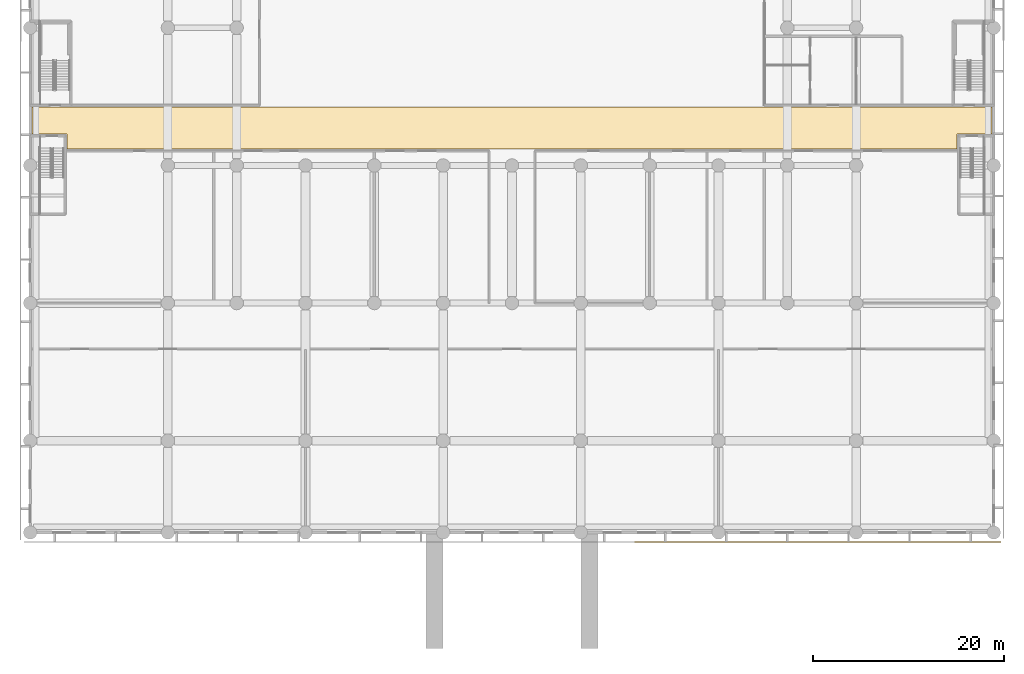
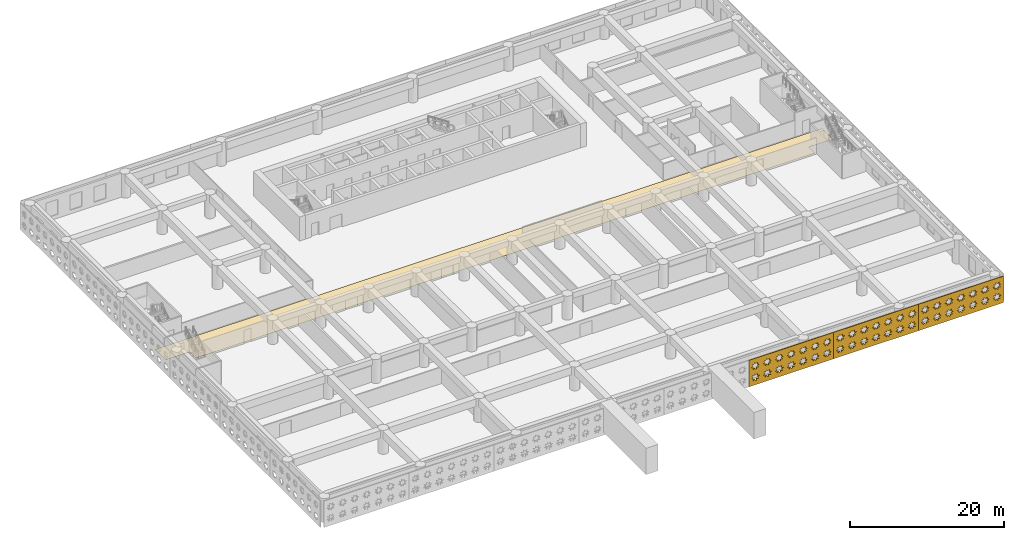
# One storey, part 15 of 23: 4 coverings.
"""IFC4 building model written with IfcOpenShell, lengths in metres."""

import ifcopenshell
import ifcopenshell.guid

model = None  # the IFC model being written
_history = None  # IfcOwnerHistory: only IFC2X3 demands one
_inside = {}  # id of a spatial element -> (the spatial element, [elements in it])
_under = {}  # id of a project, library or spatial element -> (it, [spatial elements below it])
_declared = {}  # id of a project -> (the project, [libraries it declares])
_typed = {}  # id of a type object -> (the type object, [elements of that type])
_made_of = {}  # id of a material, layer set ... -> (it, [elements and type objects made of it])


def new_model(schema):
    """Start an empty IFC model of exactly this schema.

    Asked for "IFC4X3", IfcOpenShell would pick the latest addendum, in which some entities
    have other attributes; the version numbers below select the first issue.
    IFC2X3 requires an IfcOwnerHistory on every rooted entity: one is made here for all.
    """
    global model, _history
    if schema == "IFC4X3":
        model = ifcopenshell.file(schema_version=(4, 3, 0, 0))
    else:
        model = ifcopenshell.file(schema=schema)
    _inside.clear()
    _under.clear()
    _declared.clear()
    _typed.clear()
    _made_of.clear()
    _history = None
    if model.schema == "IFC2X3":
        org = make("IfcOrganization", Name="unknown")
        user = make(
            "IfcPersonAndOrganization",
            ThePerson=make("IfcPerson", FamilyName="unknown"),
            TheOrganization=org,
        )
        app = make(
            "IfcApplication",
            ApplicationDeveloper=org,
            Version="unknown",
            ApplicationFullName="unknown",
            ApplicationIdentifier="unknown",
        )
        _history = make(
            "IfcOwnerHistory",
            OwningUser=user,
            OwningApplication=app,
            ChangeAction="ADDED",
            CreationDate=0,
        )
    return model


def make(cls, **values):
    """One entity of the class cls with the attributes given. An attribute that is None is left unset."""
    return model.create_entity(
        cls, **{name: value for name, value in values.items() if value is not None}
    )


def rooted(cls, **values):
    """An entity with a GlobalId (a new one), such as an element, a storey or a relation."""
    return make(cls, GlobalId=ifcopenshell.guid.new(), OwnerHistory=_history, **values)


def si_unit(unit_type, name, prefix=None):
    """IfcSIUnit, for example si_unit("LENGTHUNIT", "METRE", prefix="MILLI")."""
    return make("IfcSIUnit", UnitType=unit_type, Prefix=prefix, Name=name)


def assignment(units):
    """IfcUnitAssignment: the units of a project."""
    return None if units is None else make("IfcUnitAssignment", Units=units)


def point(xyz):
    """IfcCartesianPoint."""
    return None if xyz is None else make("IfcCartesianPoint", Coordinates=xyz)


def direction(xyz):
    """IfcDirection."""
    return None if xyz is None else make("IfcDirection", DirectionRatios=xyz)


def frame(location, z_axis=None, x_axis=None):
    """IfcAxis2Placement3D, a coordinate frame: its origin and axes. An axis left out is left unset."""
    return make(
        "IfcAxis2Placement3D",
        Location=point(location),
        Axis=direction(z_axis),
        RefDirection=direction(x_axis),
    )


def origin():
    """The frame at (0, 0, 0) with its axes left unset."""
    return frame((0.0, 0.0, 0.0))


def place(relative_to, where):
    """IfcLocalPlacement: puts the frame where relative to a parent placement (None: the world)."""
    return make(
        "IfcLocalPlacement", PlacementRelTo=relative_to, RelativePlacement=where
    )


def context(
    kind, dimensions, precision=None, world=None, true_north=None, identifier=None
):
    """IfcGeometricRepresentationContext, for example the 3D "Model" context."""
    return make(
        "IfcGeometricRepresentationContext",
        ContextIdentifier=identifier,
        ContextType=kind,
        CoordinateSpaceDimension=dimensions,
        Precision=precision,
        WorldCoordinateSystem=world,
        TrueNorth=true_north,
    )


def subcontext(parent, identifier, kind, view, scale=None):
    """IfcGeometricRepresentationSubContext, for example "Body" below "Model"."""
    return make(
        "IfcGeometricRepresentationSubContext",
        ContextIdentifier=identifier,
        ContextType=kind,
        ParentContext=parent,
        TargetScale=scale,
        TargetView=view,
    )


def project(units=None, contexts=None):
    """IfcProject with its units and contexts."""
    return rooted(
        "IfcProject",
        Name="project",
        RepresentationContexts=contexts,
        UnitsInContext=assignment(units),
    )


def spatial(cls, under=None, at=None, **own):
    """A site, building, storey or space (cls), placed at a placement, below another one or the project."""
    s = rooted(cls, ObjectPlacement=at, **own)
    if under is not None:
        _under.setdefault(under.id(), (under, []))[1].append(s)
    return s


def polyline(points):
    """IfcPolyline through the points."""
    return make("IfcPolyline", Points=[point(p) for p in points])


def outline(outer, holes=None, kind="AREA"):
    """IfcArbitraryClosedProfileDef: a profile drawn as a closed curve; with holes, ...WithVoids."""
    if holes is None:
        return make("IfcArbitraryClosedProfileDef", ProfileType=kind, OuterCurve=outer)
    return make(
        "IfcArbitraryProfileDefWithVoids",
        ProfileType=kind,
        OuterCurve=outer,
        InnerCurves=holes,
    )


def extrude(swept, where, along, depth):
    """IfcExtrudedAreaSolid: the profile swept, set in the frame where, extruded along a direction by depth."""
    return make(
        "IfcExtrudedAreaSolid",
        SweptArea=swept,
        Position=where,
        ExtrudedDirection=direction(along),
        Depth=depth,
    )


def shape(context_of_items, identifier, shape_type, items):
    """IfcShapeRepresentation: the items that make up one representation, for example the "Body"."""
    return make(
        "IfcShapeRepresentation",
        ContextOfItems=context_of_items,
        RepresentationIdentifier=identifier,
        RepresentationType=shape_type,
        Items=items,
    )


def material(Name=None, Category=None):
    """IfcMaterial."""
    return make("IfcMaterial", Name=Name, Category=Category)


def layer(
    of_material, thickness, ventilated=None, Name=None, Category=None, Priority=None
):
    """IfcMaterialLayer: one layer of a wall or slab, of a material (None: an air gap)."""
    return make(
        "IfcMaterialLayer",
        Material=of_material,
        LayerThickness=thickness,
        IsVentilated=ventilated,
        Name=Name,
        Category=Category,
        Priority=Priority,
    )


def layer_set(layers, Name=None):
    """IfcMaterialLayerSet."""
    return make("IfcMaterialLayerSet", MaterialLayers=layers, LayerSetName=Name)


def made_of(thing, what):
    """Note that an element or type object is made of a material, layer set ...; save() writes the relation."""
    if what is not None:
        _made_of.setdefault(what.id(), (what, []))[1].append(thing)
    return thing


def type_object(cls, material=None, **own):
    """A type object (cls), such as IfcWallType, which elements share."""
    return made_of(rooted(cls, **own), material)


def element(
    cls,
    number,
    at=None,
    inside=None,
    cuts=None,
    type_object=None,
    material=None,
    context=None,
    identifier="Body",
    shape_type=None,
    held_by="IfcProductDefinitionShape",
    body=None,
    shapes=None,
    **own,
):
    """One element of the class cls, such as IfcWall. Its Tag is "e" and its number.

    at: its placement. inside: the storey or other place that contains it. cuts: it is an
    opening in that element (IfcRelVoidsElement). A single representation is given by context,
    identifier, shape_type and body (its items); several are given by shapes. held_by: the class
    of the entity that holds the representations. save() writes the other relations.
    """
    e = rooted(cls, Tag="e%d" % number, ObjectPlacement=at, **own)
    if body is not None:
        shapes = [shape(context, identifier, shape_type, body)]
    if shapes is not None:
        e.Representation = make(held_by, Representations=shapes)
    if inside is not None:
        _inside.setdefault(inside.id(), (inside, []))[1].append(e)
    if cuts is not None:
        rooted(
            "IfcRelVoidsElement", RelatingBuildingElement=cuts, RelatedOpeningElement=e
        )
    if type_object is not None:
        _typed.setdefault(type_object.id(), (type_object, []))[1].append(e)
    return made_of(e, material)


def aggregate(whole, parts):
    """IfcRelAggregates: a whole, such as a stair, and the parts it consists of."""
    return rooted("IfcRelAggregates", RelatingObject=whole, RelatedObjects=parts)


def save(model, path):
    """Write the relations noted so far, then the file.

    IfcRelAggregates (storeys below a building ...), IfcRelContainedInSpatialStructure (elements
    in a storey), IfcRelDefinesByType, IfcRelAssociatesMaterial and IfcRelDeclares: one each for
    every whole, place, type object, material and project.
    """
    for whole, parts in _under.values():
        aggregate(whole, parts)
    for where, things in _inside.values():
        rooted(
            "IfcRelContainedInSpatialStructure",
            RelatedElements=things,
            RelatingStructure=where,
        )
    for kind, things in _typed.values():
        rooted("IfcRelDefinesByType", RelatedObjects=things, RelatingType=kind)
    for what, things in _made_of.values():
        rooted("IfcRelAssociatesMaterial", RelatedObjects=things, RelatingMaterial=what)
    for by, libraries in _declared.values():
        rooted("IfcRelDeclares", RelatingContext=by, RelatedDefinitions=libraries)
    model.write(path)


model = new_model("IFC4")

# Units and contexts
model_context = context("Model", 3, precision=1e-05, world=origin(), true_north=direction((0.0, 1.0)))
body_context = subcontext(model_context, "Body", "Model", "MODEL_VIEW")
ifc_project = project(units=[si_unit("LENGTHUNIT", "METRE"), si_unit("AREAUNIT", "SQUARE_METRE"), si_unit("VOLUMEUNIT", "CUBIC_METRE"), si_unit("PLANEANGLEUNIT", "RADIAN"), si_unit("MASSUNIT", "GRAM", prefix="KILO")], contexts=[model_context])

# Site, building, storey
site_placement = place(None, origin())
site = spatial("IfcSite", under=ifc_project, at=site_placement, CompositionType="ELEMENT")
building_placement = place(site_placement, origin())
building = spatial("IfcBuilding", under=site, at=building_placement, Name="Saffron Iwan Residences", CompositionType="ELEMENT")
storey_placement = place(building_placement, frame((0.0, 0.0, 17.39990234375)))
storey = spatial("IfcBuildingStorey", under=building, at=storey_placement, Name="L03", CompositionType="ELEMENT", Elevation=17.39990234375)

# Coverings
ifc_material_1 = material(Name="Carpet flooring")
ifc_layer_1 = layer(ifc_material_1, 0.010009765625)
ifc_layer_set_1 = layer_set([ifc_layer_1], Name="Carpet flooring")
covering_type_1 = type_object("IfcCoveringType", Name="Carpet flooring 10", PredefinedType="FLOORING", material=ifc_layer_set_1)
covering_1_placement = place(storey_placement, origin())
element("IfcCovering", 1, at=covering_1_placement, inside=storey, type_object=covering_type_1, Name="Podium corridor flooring", PredefinedType="FLOORING", context=body_context, shape_type="SweptSolid", body=[
    extrude(outline(polyline([(100.60009765625, 51.300048828125), (96.949951171875, 51.300048828125), (96.949951171875, 49.699951171875), (3.85009765625, 49.699951171875), (3.85009765625, 51.300048828125), (0.199951171875, 51.300048828125), (0.199951171875, 54.10009765625), (100.60009765625, 54.10009765625), (100.60009765625, 51.300048828125)])), origin(), (0.0, 0.0, 1.0), 0.010009765625),
])
ifc_material_2 = material(Name="Terracotta screen, precast concrete C40/50", Category="masonry")
ifc_layer_2 = layer(ifc_material_2, 0.1201171875)
ifc_layer_set_2 = layer_set([ifc_layer_2], Name="Terracotta screen, precast concrete C40/50")
covering_type_2 = type_object("IfcCoveringType", Name="PODIUM SCREEN GIRIH", PredefinedType="CLADDING", material=ifc_layer_set_2)
covering_2_placement = place(storey_placement, frame((63.237548828125, 8.64990234375, -0.39990234375), z_axis=(0.0, -1.0, 0.0), x_axis=(1.0, 0.0, 0.0)))
element("IfcCovering", 2, at=covering_2_placement, inside=storey, type_object=covering_type_2, Name="SCREEN girih terracotta L03 F0.5", PredefinedType="CLADDING", context=body_context, shape_type="SweptSolid", body=[
    extrude(outline(polyline([(0.0, 0.0), (12.777587890625, 0.0), (12.777587890625, 4.199951171875), (0.0, 4.199951171875), (0.0, 0.0)]), holes=[polyline([(1.5966796875, 1.321044921875), (1.271484375, 1.388916015625), (1.333251953125, 1.715576171875), (1.05517578125, 1.533447265625), (0.867919921875, 1.80810546875), (0.7998046875, 1.482666015625), (0.47314453125, 1.54443359375), (0.6552734375, 1.266357421875), (0.380615234375, 1.0791015625), (0.7060546875, 1.010986328125), (0.644287109375, 0.6845703125), (0.92236328125, 0.866455078125), (1.109619140625, 0.591796875), (1.177490234375, 0.917236328125), (1.50439453125, 0.85546875), (1.322265625, 1.1337890625), (1.5966796875, 1.321044921875)]), polyline([(1.5966796875, 3.12109375), (1.271484375, 3.18896484375), (1.333251953125, 3.515380859375), (1.05517578125, 3.33349609375), (0.867919921875, 3.608154296875), (0.7998046875, 3.28271484375), (0.47314453125, 3.344482421875), (0.6552734375, 3.06640625), (0.380615234375, 2.87890625), (0.7060546875, 2.81103515625), (0.644287109375, 2.484619140625), (0.92236328125, 2.66650390625), (1.109619140625, 2.391845703125), (1.177490234375, 2.71728515625), (1.50439453125, 2.655517578125), (1.322265625, 2.93359375), (1.5966796875, 3.12109375)]), polyline([(3.396728515625, 1.321044921875), (3.0712890625, 1.388916015625), (3.13330078125, 1.715576171875), (2.85498046875, 1.533447265625), (2.667724609375, 1.80810546875), (2.599853515625, 1.482666015625), (2.273193359375, 1.54443359375), (2.455322265625, 1.266357421875), (2.1806640625, 1.0791015625), (2.506103515625, 1.010986328125), (2.4443359375, 0.6845703125), (2.722412109375, 0.866455078125), (2.90966796875, 0.591796875), (2.9775390625, 0.917236328125), (3.30419921875, 0.85546875), (3.122314453125, 1.1337890625), (3.396728515625, 1.321044921875)]), polyline([(3.396728515625, 3.12109375), (3.0712890625, 3.18896484375), (3.13330078125, 3.515380859375), (2.85498046875, 3.33349609375), (2.667724609375, 3.608154296875), (2.599853515625, 3.28271484375), (2.273193359375, 3.344482421875), (2.455322265625, 3.06640625), (2.1806640625, 2.87890625), (2.506103515625, 2.81103515625), (2.4443359375, 2.484619140625), (2.722412109375, 2.66650390625), (2.90966796875, 2.391845703125), (2.9775390625, 2.71728515625), (3.30419921875, 2.655517578125), (3.122314453125, 2.93359375), (3.396728515625, 3.12109375)]), polyline([(5.19677734375, 1.321044921875), (4.871337890625, 1.388916015625), (4.93310546875, 1.715576171875), (4.655029296875, 1.533447265625), (4.4677734375, 1.80810546875), (4.39990234375, 1.482666015625), (4.0732421875, 1.54443359375), (4.25537109375, 1.266357421875), (3.980712890625, 1.0791015625), (4.30615234375, 1.010986328125), (4.244384765625, 0.6845703125), (4.5224609375, 0.866455078125), (4.709716796875, 0.591796875), (4.777587890625, 0.917236328125), (5.104248046875, 0.85546875), (4.922119140625, 1.1337890625), (5.19677734375, 1.321044921875)]), polyline([(5.19677734375, 3.12109375), (4.871337890625, 3.18896484375), (4.93310546875, 3.515380859375), (4.655029296875, 3.33349609375), (4.4677734375, 3.608154296875), (4.39990234375, 3.28271484375), (4.0732421875, 3.344482421875), (4.25537109375, 3.06640625), (3.980712890625, 2.87890625), (4.30615234375, 2.81103515625), (4.244384765625, 2.484619140625), (4.5224609375, 2.66650390625), (4.709716796875, 2.391845703125), (4.777587890625, 2.71728515625), (5.104248046875, 2.655517578125), (4.922119140625, 2.93359375), (5.19677734375, 3.12109375)]), polyline([(6.996826171875, 1.321044921875), (6.67138671875, 1.388916015625), (6.733154296875, 1.715576171875), (6.455078125, 1.533447265625), (6.267822265625, 1.80810546875), (6.199951171875, 1.482666015625), (5.873291015625, 1.54443359375), (6.055419921875, 1.266357421875), (5.78076171875, 1.0791015625), (6.106201171875, 1.010986328125), (6.044189453125, 0.6845703125), (6.322509765625, 0.866455078125), (6.509765625, 0.591796875), (6.57763671875, 0.917236328125), (6.904296875, 0.85546875), (6.72216796875, 1.1337890625), (6.996826171875, 1.321044921875)]), polyline([(6.996826171875, 3.12109375), (6.67138671875, 3.18896484375), (6.733154296875, 3.515380859375), (6.455078125, 3.33349609375), (6.267822265625, 3.608154296875), (6.199951171875, 3.28271484375), (5.873291015625, 3.344482421875), (6.055419921875, 3.06640625), (5.78076171875, 2.87890625), (6.106201171875, 2.81103515625), (6.044189453125, 2.484619140625), (6.322509765625, 2.66650390625), (6.509765625, 2.391845703125), (6.57763671875, 2.71728515625), (6.904296875, 2.655517578125), (6.72216796875, 2.93359375), (6.996826171875, 3.12109375)]), polyline([(8.796875, 1.321044921875), (8.471435546875, 1.388916015625), (8.533203125, 1.715576171875), (8.255126953125, 1.533447265625), (8.06787109375, 1.80810546875), (8.0, 1.482666015625), (7.673095703125, 1.54443359375), (7.855224609375, 1.266357421875), (7.580810546875, 1.0791015625), (7.906005859375, 1.010986328125), (7.84423828125, 0.6845703125), (8.122314453125, 0.866455078125), (8.309814453125, 0.591796875), (8.377685546875, 0.917236328125), (8.704345703125, 0.85546875), (8.522216796875, 1.1337890625), (8.796875, 1.321044921875)]), polyline([(8.796875, 3.12109375), (8.471435546875, 3.18896484375), (8.533203125, 3.515380859375), (8.255126953125, 3.33349609375), (8.06787109375, 3.608154296875), (8.0, 3.28271484375), (7.673095703125, 3.344482421875), (7.855224609375, 3.06640625), (7.580810546875, 2.87890625), (7.906005859375, 2.81103515625), (7.84423828125, 2.484619140625), (8.122314453125, 2.66650390625), (8.309814453125, 2.391845703125), (8.377685546875, 2.71728515625), (8.704345703125, 2.655517578125), (8.522216796875, 2.93359375), (8.796875, 3.12109375)]), polyline([(10.5966796875, 1.321044921875), (10.271484375, 1.388916015625), (10.333251953125, 1.715576171875), (10.05517578125, 1.533447265625), (9.867919921875, 1.80810546875), (9.7998046875, 1.482666015625), (9.47314453125, 1.54443359375), (9.6552734375, 1.266357421875), (9.380615234375, 1.0791015625), (9.7060546875, 1.010986328125), (9.644287109375, 0.6845703125), (9.92236328125, 0.866455078125), (10.109619140625, 0.591796875), (10.177490234375, 0.917236328125), (10.50439453125, 0.85546875), (10.322265625, 1.1337890625), (10.5966796875, 1.321044921875)]), polyline([(10.5966796875, 3.12109375), (10.271484375, 3.18896484375), (10.333251953125, 3.515380859375), (10.05517578125, 3.33349609375), (9.867919921875, 3.608154296875), (9.7998046875, 3.28271484375), (9.47314453125, 3.344482421875), (9.6552734375, 3.06640625), (9.380615234375, 2.87890625), (9.7060546875, 2.81103515625), (9.644287109375, 2.484619140625), (9.92236328125, 2.66650390625), (10.109619140625, 2.391845703125), (10.177490234375, 2.71728515625), (10.50439453125, 2.655517578125), (10.322265625, 2.93359375), (10.5966796875, 3.12109375)]), polyline([(12.396728515625, 1.321044921875), (12.0712890625, 1.388916015625), (12.13330078125, 1.715576171875), (11.85498046875, 1.533447265625), (11.667724609375, 1.80810546875), (11.599853515625, 1.482666015625), (11.273193359375, 1.54443359375), (11.455322265625, 1.266357421875), (11.1806640625, 1.0791015625), (11.506103515625, 1.010986328125), (11.4443359375, 0.6845703125), (11.722412109375, 0.866455078125), (11.90966796875, 0.591796875), (11.9775390625, 0.917236328125), (12.30419921875, 0.85546875), (12.122314453125, 1.1337890625), (12.396728515625, 1.321044921875)]), polyline([(12.396728515625, 3.12109375), (12.0712890625, 3.18896484375), (12.13330078125, 3.515380859375), (11.85498046875, 3.33349609375), (11.667724609375, 3.608154296875), (11.599853515625, 3.28271484375), (11.273193359375, 3.344482421875), (11.455322265625, 3.06640625), (11.1806640625, 2.87890625), (11.506103515625, 2.81103515625), (11.4443359375, 2.484619140625), (11.722412109375, 2.66650390625), (11.90966796875, 2.391845703125), (11.9775390625, 2.71728515625), (12.30419921875, 2.655517578125), (12.122314453125, 2.93359375), (12.396728515625, 3.12109375)])]), origin(), (0.0, 0.0, 1.0), 0.119873046875),
])
covering_3_placement = place(storey_placement, frame((76.014892578125, 8.64990234375, -0.39990234375), z_axis=(0.0, -1.0, 0.0), x_axis=(1.0, 0.0, 0.0)))
element("IfcCovering", 3, at=covering_3_placement, inside=storey, type_object=covering_type_2, Name="SCREEN girih terracotta L03 F0.6", PredefinedType="CLADDING", context=body_context, shape_type="SweptSolid", body=[
    extrude(outline(polyline([(0.0, 0.0), (12.777587890625, 0.0), (12.777587890625, 4.199951171875), (0.0, 4.199951171875), (0.0, 0.0)]), holes=[polyline([(1.5966796875, 1.321044921875), (1.271484375, 1.388916015625), (1.333251953125, 1.715576171875), (1.05517578125, 1.533447265625), (0.867919921875, 1.80810546875), (0.7998046875, 1.482666015625), (0.47314453125, 1.54443359375), (0.6552734375, 1.266357421875), (0.380615234375, 1.0791015625), (0.7060546875, 1.010986328125), (0.644287109375, 0.6845703125), (0.92236328125, 0.866455078125), (1.109619140625, 0.591796875), (1.177490234375, 0.917236328125), (1.50439453125, 0.85546875), (1.322265625, 1.1337890625), (1.5966796875, 1.321044921875)]), polyline([(1.5966796875, 3.12109375), (1.271484375, 3.18896484375), (1.333251953125, 3.515380859375), (1.05517578125, 3.33349609375), (0.867919921875, 3.608154296875), (0.7998046875, 3.28271484375), (0.47314453125, 3.344482421875), (0.6552734375, 3.06640625), (0.380615234375, 2.87890625), (0.7060546875, 2.81103515625), (0.644287109375, 2.484619140625), (0.92236328125, 2.66650390625), (1.109619140625, 2.391845703125), (1.177490234375, 2.71728515625), (1.50439453125, 2.655517578125), (1.322265625, 2.93359375), (1.5966796875, 3.12109375)]), polyline([(3.396728515625, 1.321044921875), (3.0712890625, 1.388916015625), (3.13330078125, 1.715576171875), (2.85498046875, 1.533447265625), (2.667724609375, 1.80810546875), (2.599853515625, 1.482666015625), (2.273193359375, 1.54443359375), (2.455322265625, 1.266357421875), (2.1806640625, 1.0791015625), (2.506103515625, 1.010986328125), (2.4443359375, 0.6845703125), (2.722412109375, 0.866455078125), (2.90966796875, 0.591796875), (2.9775390625, 0.917236328125), (3.30419921875, 0.85546875), (3.122314453125, 1.1337890625), (3.396728515625, 1.321044921875)]), polyline([(3.396728515625, 3.12109375), (3.0712890625, 3.18896484375), (3.13330078125, 3.515380859375), (2.85498046875, 3.33349609375), (2.667724609375, 3.608154296875), (2.599853515625, 3.28271484375), (2.273193359375, 3.344482421875), (2.455322265625, 3.06640625), (2.1806640625, 2.87890625), (2.506103515625, 2.81103515625), (2.4443359375, 2.484619140625), (2.722412109375, 2.66650390625), (2.90966796875, 2.391845703125), (2.9775390625, 2.71728515625), (3.30419921875, 2.655517578125), (3.122314453125, 2.93359375), (3.396728515625, 3.12109375)]), polyline([(5.19677734375, 1.321044921875), (4.871337890625, 1.388916015625), (4.93310546875, 1.715576171875), (4.655029296875, 1.533447265625), (4.4677734375, 1.80810546875), (4.39990234375, 1.482666015625), (4.0732421875, 1.54443359375), (4.25537109375, 1.266357421875), (3.980712890625, 1.0791015625), (4.30615234375, 1.010986328125), (4.244384765625, 0.6845703125), (4.5224609375, 0.866455078125), (4.709716796875, 0.591796875), (4.777587890625, 0.917236328125), (5.104248046875, 0.85546875), (4.922119140625, 1.1337890625), (5.19677734375, 1.321044921875)]), polyline([(5.19677734375, 3.12109375), (4.871337890625, 3.18896484375), (4.93310546875, 3.515380859375), (4.655029296875, 3.33349609375), (4.4677734375, 3.608154296875), (4.39990234375, 3.28271484375), (4.0732421875, 3.344482421875), (4.25537109375, 3.06640625), (3.980712890625, 2.87890625), (4.30615234375, 2.81103515625), (4.244384765625, 2.484619140625), (4.5224609375, 2.66650390625), (4.709716796875, 2.391845703125), (4.777587890625, 2.71728515625), (5.104248046875, 2.655517578125), (4.922119140625, 2.93359375), (5.19677734375, 3.12109375)]), polyline([(6.996826171875, 1.321044921875), (6.67138671875, 1.388916015625), (6.733154296875, 1.715576171875), (6.455078125, 1.533447265625), (6.267822265625, 1.80810546875), (6.199951171875, 1.482666015625), (5.873291015625, 1.54443359375), (6.055419921875, 1.266357421875), (5.78076171875, 1.0791015625), (6.106201171875, 1.010986328125), (6.044189453125, 0.6845703125), (6.322509765625, 0.866455078125), (6.509765625, 0.591796875), (6.57763671875, 0.917236328125), (6.904296875, 0.85546875), (6.72216796875, 1.1337890625), (6.996826171875, 1.321044921875)]), polyline([(6.996826171875, 3.12109375), (6.67138671875, 3.18896484375), (6.733154296875, 3.515380859375), (6.455078125, 3.33349609375), (6.267822265625, 3.608154296875), (6.199951171875, 3.28271484375), (5.873291015625, 3.344482421875), (6.055419921875, 3.06640625), (5.78076171875, 2.87890625), (6.106201171875, 2.81103515625), (6.044189453125, 2.484619140625), (6.322509765625, 2.66650390625), (6.509765625, 2.391845703125), (6.57763671875, 2.71728515625), (6.904296875, 2.655517578125), (6.72216796875, 2.93359375), (6.996826171875, 3.12109375)]), polyline([(8.796875, 1.321044921875), (8.471435546875, 1.388916015625), (8.533203125, 1.715576171875), (8.255126953125, 1.533447265625), (8.06787109375, 1.80810546875), (8.0, 1.482666015625), (7.673095703125, 1.54443359375), (7.855224609375, 1.266357421875), (7.580810546875, 1.0791015625), (7.906005859375, 1.010986328125), (7.84423828125, 0.6845703125), (8.122314453125, 0.866455078125), (8.309814453125, 0.591796875), (8.377685546875, 0.917236328125), (8.704345703125, 0.85546875), (8.522216796875, 1.1337890625), (8.796875, 1.321044921875)]), polyline([(8.796875, 3.12109375), (8.471435546875, 3.18896484375), (8.533203125, 3.515380859375), (8.255126953125, 3.33349609375), (8.06787109375, 3.608154296875), (8.0, 3.28271484375), (7.673095703125, 3.344482421875), (7.855224609375, 3.06640625), (7.580810546875, 2.87890625), (7.906005859375, 2.81103515625), (7.84423828125, 2.484619140625), (8.122314453125, 2.66650390625), (8.309814453125, 2.391845703125), (8.377685546875, 2.71728515625), (8.704345703125, 2.655517578125), (8.522216796875, 2.93359375), (8.796875, 3.12109375)]), polyline([(10.5966796875, 1.321044921875), (10.271484375, 1.388916015625), (10.333251953125, 1.715576171875), (10.05517578125, 1.533447265625), (9.867919921875, 1.80810546875), (9.7998046875, 1.482666015625), (9.47314453125, 1.54443359375), (9.6552734375, 1.266357421875), (9.380615234375, 1.0791015625), (9.7060546875, 1.010986328125), (9.644287109375, 0.6845703125), (9.92236328125, 0.866455078125), (10.109619140625, 0.591796875), (10.177490234375, 0.917236328125), (10.50439453125, 0.85546875), (10.322265625, 1.1337890625), (10.5966796875, 1.321044921875)]), polyline([(10.5966796875, 3.12109375), (10.271484375, 3.18896484375), (10.333251953125, 3.515380859375), (10.05517578125, 3.33349609375), (9.867919921875, 3.608154296875), (9.7998046875, 3.28271484375), (9.47314453125, 3.344482421875), (9.6552734375, 3.06640625), (9.380615234375, 2.87890625), (9.7060546875, 2.81103515625), (9.644287109375, 2.484619140625), (9.92236328125, 2.66650390625), (10.109619140625, 2.391845703125), (10.177490234375, 2.71728515625), (10.50439453125, 2.655517578125), (10.322265625, 2.93359375), (10.5966796875, 3.12109375)]), polyline([(12.396728515625, 1.321044921875), (12.0712890625, 1.388916015625), (12.13330078125, 1.715576171875), (11.85498046875, 1.533447265625), (11.667724609375, 1.80810546875), (11.599853515625, 1.482666015625), (11.273193359375, 1.54443359375), (11.455322265625, 1.266357421875), (11.1806640625, 1.0791015625), (11.506103515625, 1.010986328125), (11.4443359375, 0.6845703125), (11.722412109375, 0.866455078125), (11.90966796875, 0.591796875), (11.9775390625, 0.917236328125), (12.30419921875, 0.85546875), (12.122314453125, 1.1337890625), (12.396728515625, 1.321044921875)]), polyline([(12.396728515625, 3.12109375), (12.0712890625, 3.18896484375), (12.13330078125, 3.515380859375), (11.85498046875, 3.33349609375), (11.667724609375, 3.608154296875), (11.599853515625, 3.28271484375), (11.273193359375, 3.344482421875), (11.455322265625, 3.06640625), (11.1806640625, 2.87890625), (11.506103515625, 2.81103515625), (11.4443359375, 2.484619140625), (11.722412109375, 2.66650390625), (11.90966796875, 2.391845703125), (11.9775390625, 2.71728515625), (12.30419921875, 2.655517578125), (12.122314453125, 2.93359375), (12.396728515625, 3.12109375)])]), origin(), (0.0, 0.0, 1.0), 0.119873046875),
])
covering_4_placement = place(storey_placement, frame((88.79248046875, 8.64990234375, -0.39990234375), z_axis=(0.0, -1.0, 0.0), x_axis=(1.0, 0.0, 0.0)))
element("IfcCovering", 4, at=covering_4_placement, inside=storey, type_object=covering_type_2, Name="SCREEN girih terracotta L03 F0.7", PredefinedType="CLADDING", context=body_context, shape_type="SweptSolid", body=[
    extrude(outline(polyline([(0.0, 0.0), (12.777587890625, 0.0), (12.777587890625, 4.199951171875), (0.0, 4.199951171875), (0.0, 0.0)]), holes=[polyline([(1.5966796875, 1.321044921875), (1.271484375, 1.388916015625), (1.333251953125, 1.715576171875), (1.05517578125, 1.533447265625), (0.867919921875, 1.80810546875), (0.7998046875, 1.482666015625), (0.47314453125, 1.54443359375), (0.6552734375, 1.266357421875), (0.380615234375, 1.0791015625), (0.7060546875, 1.010986328125), (0.644287109375, 0.6845703125), (0.92236328125, 0.866455078125), (1.109619140625, 0.591796875), (1.177490234375, 0.917236328125), (1.50439453125, 0.85546875), (1.322265625, 1.1337890625), (1.5966796875, 1.321044921875)]), polyline([(1.5966796875, 3.12109375), (1.271484375, 3.18896484375), (1.333251953125, 3.515380859375), (1.05517578125, 3.33349609375), (0.867919921875, 3.608154296875), (0.7998046875, 3.28271484375), (0.47314453125, 3.344482421875), (0.6552734375, 3.06640625), (0.380615234375, 2.87890625), (0.7060546875, 2.81103515625), (0.644287109375, 2.484619140625), (0.92236328125, 2.66650390625), (1.109619140625, 2.391845703125), (1.177490234375, 2.71728515625), (1.50439453125, 2.655517578125), (1.322265625, 2.93359375), (1.5966796875, 3.12109375)]), polyline([(3.396728515625, 1.321044921875), (3.0712890625, 1.388916015625), (3.13330078125, 1.715576171875), (2.85498046875, 1.533447265625), (2.667724609375, 1.80810546875), (2.599853515625, 1.482666015625), (2.273193359375, 1.54443359375), (2.455322265625, 1.266357421875), (2.1806640625, 1.0791015625), (2.506103515625, 1.010986328125), (2.4443359375, 0.6845703125), (2.722412109375, 0.866455078125), (2.90966796875, 0.591796875), (2.9775390625, 0.917236328125), (3.30419921875, 0.85546875), (3.122314453125, 1.1337890625), (3.396728515625, 1.321044921875)]), polyline([(3.396728515625, 3.12109375), (3.0712890625, 3.18896484375), (3.13330078125, 3.515380859375), (2.85498046875, 3.33349609375), (2.667724609375, 3.608154296875), (2.599853515625, 3.28271484375), (2.273193359375, 3.344482421875), (2.455322265625, 3.06640625), (2.1806640625, 2.87890625), (2.506103515625, 2.81103515625), (2.4443359375, 2.484619140625), (2.722412109375, 2.66650390625), (2.90966796875, 2.391845703125), (2.9775390625, 2.71728515625), (3.30419921875, 2.655517578125), (3.122314453125, 2.93359375), (3.396728515625, 3.12109375)]), polyline([(5.19677734375, 1.321044921875), (4.871337890625, 1.388916015625), (4.93310546875, 1.715576171875), (4.655029296875, 1.533447265625), (4.4677734375, 1.80810546875), (4.39990234375, 1.482666015625), (4.0732421875, 1.54443359375), (4.25537109375, 1.266357421875), (3.980712890625, 1.0791015625), (4.30615234375, 1.010986328125), (4.244384765625, 0.6845703125), (4.5224609375, 0.866455078125), (4.709716796875, 0.591796875), (4.777587890625, 0.917236328125), (5.104248046875, 0.85546875), (4.922119140625, 1.1337890625), (5.19677734375, 1.321044921875)]), polyline([(5.19677734375, 3.12109375), (4.871337890625, 3.18896484375), (4.93310546875, 3.515380859375), (4.655029296875, 3.33349609375), (4.4677734375, 3.608154296875), (4.39990234375, 3.28271484375), (4.0732421875, 3.344482421875), (4.25537109375, 3.06640625), (3.980712890625, 2.87890625), (4.30615234375, 2.81103515625), (4.244384765625, 2.484619140625), (4.5224609375, 2.66650390625), (4.709716796875, 2.391845703125), (4.777587890625, 2.71728515625), (5.104248046875, 2.655517578125), (4.922119140625, 2.93359375), (5.19677734375, 3.12109375)]), polyline([(6.996826171875, 1.321044921875), (6.67138671875, 1.388916015625), (6.733154296875, 1.715576171875), (6.455078125, 1.533447265625), (6.267822265625, 1.80810546875), (6.199951171875, 1.482666015625), (5.873291015625, 1.54443359375), (6.055419921875, 1.266357421875), (5.78076171875, 1.0791015625), (6.106201171875, 1.010986328125), (6.044189453125, 0.6845703125), (6.322509765625, 0.866455078125), (6.509765625, 0.591796875), (6.57763671875, 0.917236328125), (6.904296875, 0.85546875), (6.72216796875, 1.1337890625), (6.996826171875, 1.321044921875)]), polyline([(6.996826171875, 3.12109375), (6.67138671875, 3.18896484375), (6.733154296875, 3.515380859375), (6.455078125, 3.33349609375), (6.267822265625, 3.608154296875), (6.199951171875, 3.28271484375), (5.873291015625, 3.344482421875), (6.055419921875, 3.06640625), (5.78076171875, 2.87890625), (6.106201171875, 2.81103515625), (6.044189453125, 2.484619140625), (6.322509765625, 2.66650390625), (6.509765625, 2.391845703125), (6.57763671875, 2.71728515625), (6.904296875, 2.655517578125), (6.72216796875, 2.93359375), (6.996826171875, 3.12109375)]), polyline([(8.796875, 1.321044921875), (8.471435546875, 1.388916015625), (8.533203125, 1.715576171875), (8.255126953125, 1.533447265625), (8.06787109375, 1.80810546875), (8.0, 1.482666015625), (7.673095703125, 1.54443359375), (7.855224609375, 1.266357421875), (7.580810546875, 1.0791015625), (7.906005859375, 1.010986328125), (7.84423828125, 0.6845703125), (8.122314453125, 0.866455078125), (8.309814453125, 0.591796875), (8.377685546875, 0.917236328125), (8.704345703125, 0.85546875), (8.522216796875, 1.1337890625), (8.796875, 1.321044921875)]), polyline([(8.796875, 3.12109375), (8.471435546875, 3.18896484375), (8.533203125, 3.515380859375), (8.255126953125, 3.33349609375), (8.06787109375, 3.608154296875), (8.0, 3.28271484375), (7.673095703125, 3.344482421875), (7.855224609375, 3.06640625), (7.580810546875, 2.87890625), (7.906005859375, 2.81103515625), (7.84423828125, 2.484619140625), (8.122314453125, 2.66650390625), (8.309814453125, 2.391845703125), (8.377685546875, 2.71728515625), (8.704345703125, 2.655517578125), (8.522216796875, 2.93359375), (8.796875, 3.12109375)]), polyline([(10.5966796875, 1.321044921875), (10.271484375, 1.388916015625), (10.333251953125, 1.715576171875), (10.05517578125, 1.533447265625), (9.867919921875, 1.80810546875), (9.7998046875, 1.482666015625), (9.47314453125, 1.54443359375), (9.6552734375, 1.266357421875), (9.380615234375, 1.0791015625), (9.7060546875, 1.010986328125), (9.644287109375, 0.6845703125), (9.92236328125, 0.866455078125), (10.109619140625, 0.591796875), (10.177490234375, 0.917236328125), (10.50439453125, 0.85546875), (10.322265625, 1.1337890625), (10.5966796875, 1.321044921875)]), polyline([(10.5966796875, 3.12109375), (10.271484375, 3.18896484375), (10.333251953125, 3.515380859375), (10.05517578125, 3.33349609375), (9.867919921875, 3.608154296875), (9.7998046875, 3.28271484375), (9.47314453125, 3.344482421875), (9.6552734375, 3.06640625), (9.380615234375, 2.87890625), (9.7060546875, 2.81103515625), (9.644287109375, 2.484619140625), (9.92236328125, 2.66650390625), (10.109619140625, 2.391845703125), (10.177490234375, 2.71728515625), (10.50439453125, 2.655517578125), (10.322265625, 2.93359375), (10.5966796875, 3.12109375)]), polyline([(12.396728515625, 1.321044921875), (12.0712890625, 1.388916015625), (12.13330078125, 1.715576171875), (11.85498046875, 1.533447265625), (11.667724609375, 1.80810546875), (11.599853515625, 1.482666015625), (11.273193359375, 1.54443359375), (11.455322265625, 1.266357421875), (11.1806640625, 1.0791015625), (11.506103515625, 1.010986328125), (11.4443359375, 0.6845703125), (11.722412109375, 0.866455078125), (11.90966796875, 0.591796875), (11.9775390625, 0.917236328125), (12.30419921875, 0.85546875), (12.122314453125, 1.1337890625), (12.396728515625, 1.321044921875)]), polyline([(12.396728515625, 3.12109375), (12.0712890625, 3.18896484375), (12.13330078125, 3.515380859375), (11.85498046875, 3.33349609375), (11.667724609375, 3.608154296875), (11.599853515625, 3.28271484375), (11.273193359375, 3.344482421875), (11.455322265625, 3.06640625), (11.1806640625, 2.87890625), (11.506103515625, 2.81103515625), (11.4443359375, 2.484619140625), (11.722412109375, 2.66650390625), (11.90966796875, 2.391845703125), (11.9775390625, 2.71728515625), (12.30419921875, 2.655517578125), (12.122314453125, 2.93359375), (12.396728515625, 3.12109375)])]), origin(), (0.0, 0.0, 1.0), 0.119873046875),
])

save(model, "model.ifc")
